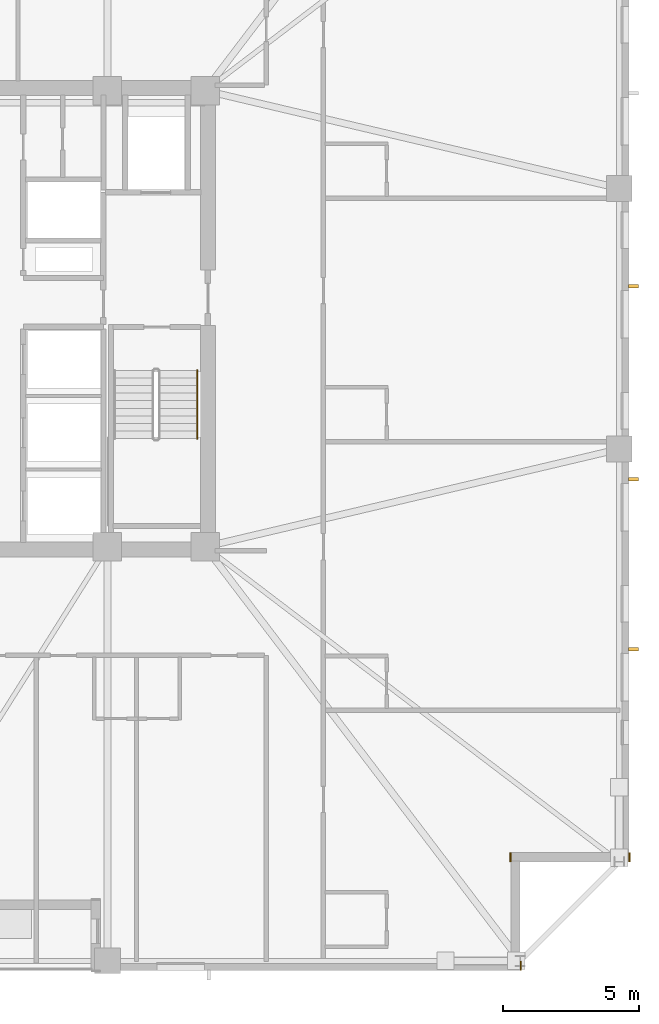
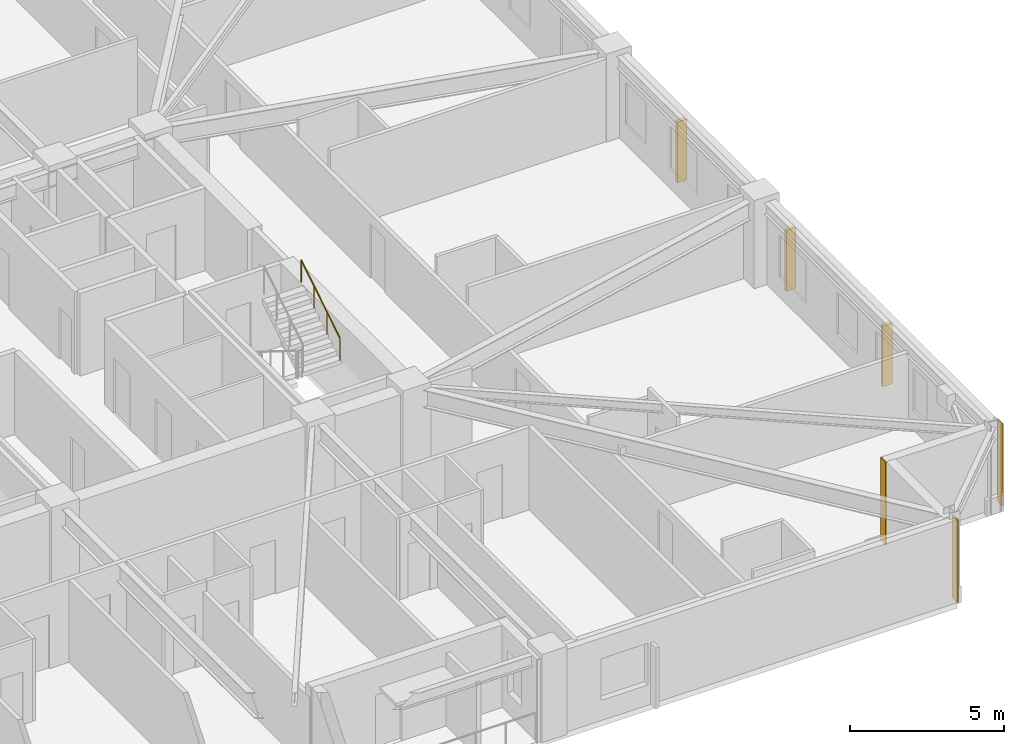
# One storey, part 9 of 11: 3 coverings, 3 shading devices, 1 railing.
"""IFC4 building model written with IfcOpenShell, lengths in metres."""

import ifcopenshell
import ifcopenshell.guid

model = None  # the IFC model being written
_history = None  # IfcOwnerHistory: only IFC2X3 demands one
_inside = {}  # id of a spatial element -> (the spatial element, [elements in it])
_under = {}  # id of a project, library or spatial element -> (it, [spatial elements below it])
_declared = {}  # id of a project -> (the project, [libraries it declares])
_typed = {}  # id of a type object -> (the type object, [elements of that type])
_made_of = {}  # id of a material, layer set ... -> (it, [elements and type objects made of it])


def new_model(schema):
    """Start an empty IFC model of exactly this schema.

    Asked for "IFC4X3", IfcOpenShell would pick the latest addendum, in which some entities
    have other attributes; the version numbers below select the first issue.
    IFC2X3 requires an IfcOwnerHistory on every rooted entity: one is made here for all.
    """
    global model, _history
    if schema == "IFC4X3":
        model = ifcopenshell.file(schema_version=(4, 3, 0, 0))
    else:
        model = ifcopenshell.file(schema=schema)
    _inside.clear()
    _under.clear()
    _declared.clear()
    _typed.clear()
    _made_of.clear()
    _history = None
    if model.schema == "IFC2X3":
        org = make("IfcOrganization", Name="unknown")
        user = make(
            "IfcPersonAndOrganization",
            ThePerson=make("IfcPerson", FamilyName="unknown"),
            TheOrganization=org,
        )
        app = make(
            "IfcApplication",
            ApplicationDeveloper=org,
            Version="unknown",
            ApplicationFullName="unknown",
            ApplicationIdentifier="unknown",
        )
        _history = make(
            "IfcOwnerHistory",
            OwningUser=user,
            OwningApplication=app,
            ChangeAction="ADDED",
            CreationDate=0,
        )
    return model


def make(cls, **values):
    """One entity of the class cls with the attributes given. An attribute that is None is left unset."""
    return model.create_entity(
        cls, **{name: value for name, value in values.items() if value is not None}
    )


def rooted(cls, **values):
    """An entity with a GlobalId (a new one), such as an element, a storey or a relation."""
    return make(cls, GlobalId=ifcopenshell.guid.new(), OwnerHistory=_history, **values)


def si_unit(unit_type, name, prefix=None):
    """IfcSIUnit, for example si_unit("LENGTHUNIT", "METRE", prefix="MILLI")."""
    return make("IfcSIUnit", UnitType=unit_type, Prefix=prefix, Name=name)


def assignment(units):
    """IfcUnitAssignment: the units of a project."""
    return None if units is None else make("IfcUnitAssignment", Units=units)


def point(xyz):
    """IfcCartesianPoint."""
    return None if xyz is None else make("IfcCartesianPoint", Coordinates=xyz)


def direction(xyz):
    """IfcDirection."""
    return None if xyz is None else make("IfcDirection", DirectionRatios=xyz)


def frame(location, z_axis=None, x_axis=None):
    """IfcAxis2Placement3D, a coordinate frame: its origin and axes. An axis left out is left unset."""
    return make(
        "IfcAxis2Placement3D",
        Location=point(location),
        Axis=direction(z_axis),
        RefDirection=direction(x_axis),
    )


def frame_2d(location, x_axis=None):
    """IfcAxis2Placement2D, a coordinate frame in the plane: its origin and x axis."""
    return make(
        "IfcAxis2Placement2D", Location=point(location), RefDirection=direction(x_axis)
    )


def origin():
    """The frame at (0, 0, 0) with its axes left unset."""
    return frame((0.0, 0.0, 0.0))


def origin_2d():
    """The frame at (0, 0) in the plane with its x axis left unset."""
    return frame_2d((0.0, 0.0))


def place(relative_to, where):
    """IfcLocalPlacement: puts the frame where relative to a parent placement (None: the world)."""
    return make(
        "IfcLocalPlacement", PlacementRelTo=relative_to, RelativePlacement=where
    )


def context(
    kind, dimensions, precision=None, world=None, true_north=None, identifier=None
):
    """IfcGeometricRepresentationContext, for example the 3D "Model" context."""
    return make(
        "IfcGeometricRepresentationContext",
        ContextIdentifier=identifier,
        ContextType=kind,
        CoordinateSpaceDimension=dimensions,
        Precision=precision,
        WorldCoordinateSystem=world,
        TrueNorth=true_north,
    )


def subcontext(parent, identifier, kind, view, scale=None):
    """IfcGeometricRepresentationSubContext, for example "Body" below "Model"."""
    return make(
        "IfcGeometricRepresentationSubContext",
        ContextIdentifier=identifier,
        ContextType=kind,
        ParentContext=parent,
        TargetScale=scale,
        TargetView=view,
    )


def project(units=None, contexts=None):
    """IfcProject with its units and contexts."""
    return rooted(
        "IfcProject",
        Name="project",
        RepresentationContexts=contexts,
        UnitsInContext=assignment(units),
    )


def spatial(cls, under=None, at=None, **own):
    """A site, building, storey or space (cls), placed at a placement, below another one or the project."""
    s = rooted(cls, ObjectPlacement=at, **own)
    if under is not None:
        _under.setdefault(under.id(), (under, []))[1].append(s)
    return s


def profile(cls, at=None, kind="AREA", **sizes):
    """A parametric profile (cls). Its sizes go by their IFC names, for example OverallWidth=200.0."""
    return make(cls, ProfileType=kind, Position=at, **sizes)


def rectangle(**sizes):
    """IfcRectangleProfileDef."""
    return profile("IfcRectangleProfileDef", **sizes)


def circle(**sizes):
    """IfcCircleProfileDef."""
    return profile("IfcCircleProfileDef", **sizes)


def extrude(swept, where, along, depth):
    """IfcExtrudedAreaSolid: the profile swept, set in the frame where, extruded along a direction by depth."""
    return make(
        "IfcExtrudedAreaSolid",
        SweptArea=swept,
        Position=where,
        ExtrudedDirection=direction(along),
        Depth=depth,
    )


def shape(context_of_items, identifier, shape_type, items):
    """IfcShapeRepresentation: the items that make up one representation, for example the "Body"."""
    return make(
        "IfcShapeRepresentation",
        ContextOfItems=context_of_items,
        RepresentationIdentifier=identifier,
        RepresentationType=shape_type,
        Items=items,
    )


def material(Name=None, Category=None):
    """IfcMaterial."""
    return make("IfcMaterial", Name=Name, Category=Category)


def layer(
    of_material, thickness, ventilated=None, Name=None, Category=None, Priority=None
):
    """IfcMaterialLayer: one layer of a wall or slab, of a material (None: an air gap)."""
    return make(
        "IfcMaterialLayer",
        Material=of_material,
        LayerThickness=thickness,
        IsVentilated=ventilated,
        Name=Name,
        Category=Category,
        Priority=Priority,
    )


def layer_set(layers, Name=None):
    """IfcMaterialLayerSet."""
    return make("IfcMaterialLayerSet", MaterialLayers=layers, LayerSetName=Name)


def made_of(thing, what):
    """Note that an element or type object is made of a material, layer set ...; save() writes the relation."""
    if what is not None:
        _made_of.setdefault(what.id(), (what, []))[1].append(thing)
    return thing


def type_object(cls, material=None, **own):
    """A type object (cls), such as IfcWallType, which elements share."""
    return made_of(rooted(cls, **own), material)


def element(
    cls,
    number,
    at=None,
    inside=None,
    cuts=None,
    type_object=None,
    material=None,
    context=None,
    identifier="Body",
    shape_type=None,
    held_by="IfcProductDefinitionShape",
    body=None,
    shapes=None,
    **own,
):
    """One element of the class cls, such as IfcWall. Its Tag is "e" and its number.

    at: its placement. inside: the storey or other place that contains it. cuts: it is an
    opening in that element (IfcRelVoidsElement). A single representation is given by context,
    identifier, shape_type and body (its items); several are given by shapes. held_by: the class
    of the entity that holds the representations. save() writes the other relations.
    """
    e = rooted(cls, Tag="e%d" % number, ObjectPlacement=at, **own)
    if body is not None:
        shapes = [shape(context, identifier, shape_type, body)]
    if shapes is not None:
        e.Representation = make(held_by, Representations=shapes)
    if inside is not None:
        _inside.setdefault(inside.id(), (inside, []))[1].append(e)
    if cuts is not None:
        rooted(
            "IfcRelVoidsElement", RelatingBuildingElement=cuts, RelatedOpeningElement=e
        )
    if type_object is not None:
        _typed.setdefault(type_object.id(), (type_object, []))[1].append(e)
    return made_of(e, material)


def aggregate(whole, parts):
    """IfcRelAggregates: a whole, such as a stair, and the parts it consists of."""
    return rooted("IfcRelAggregates", RelatingObject=whole, RelatedObjects=parts)


def save(model, path):
    """Write the relations noted so far, then the file.

    IfcRelAggregates (storeys below a building ...), IfcRelContainedInSpatialStructure (elements
    in a storey), IfcRelDefinesByType, IfcRelAssociatesMaterial and IfcRelDeclares: one each for
    every whole, place, type object, material and project.
    """
    for whole, parts in _under.values():
        aggregate(whole, parts)
    for where, things in _inside.values():
        rooted(
            "IfcRelContainedInSpatialStructure",
            RelatedElements=things,
            RelatingStructure=where,
        )
    for kind, things in _typed.values():
        rooted("IfcRelDefinesByType", RelatedObjects=things, RelatingType=kind)
    for what, things in _made_of.values():
        rooted("IfcRelAssociatesMaterial", RelatedObjects=things, RelatingMaterial=what)
    for by, libraries in _declared.values():
        rooted("IfcRelDeclares", RelatingContext=by, RelatedDefinitions=libraries)
    model.write(path)


model = new_model("IFC4")

# Units and contexts
model_context = context("Model", 3, precision=1e-05, world=origin(), true_north=direction((0.0, 1.0)))
body_context = subcontext(model_context, "Body", "Model", "MODEL_VIEW")
ifc_project = project(units=[si_unit("LENGTHUNIT", "METRE"), si_unit("AREAUNIT", "SQUARE_METRE"), si_unit("VOLUMEUNIT", "CUBIC_METRE"), si_unit("PLANEANGLEUNIT", "RADIAN"), si_unit("MASSUNIT", "GRAM", prefix="KILO")], contexts=[model_context])

# Site, building, storey
site_placement = place(None, origin())
site = spatial("IfcSite", under=ifc_project, at=site_placement, CompositionType="ELEMENT")
building_placement = place(site_placement, origin())
building = spatial("IfcBuilding", under=site, at=building_placement, Name="Cairnveth Concourse Tower", CompositionType="ELEMENT")
storey_placement = place(building_placement, frame((0.0, 0.0, 158.5)))
storey = spatial("IfcBuildingStorey", under=building, at=storey_placement, Name="L43", CompositionType="ELEMENT", Elevation=158.5)

# Coverings
ifc_material_1 = material(Name="Dressed Melbourne Bluestone Cladding", Category="masonry")
ifc_layer = layer(ifc_material_1, 0.050048828125)
ifc_layer_set = layer_set([ifc_layer], Name="Dressed Melbourne Bluestone Cladding")
covering_type = type_object("IfcCoveringType", Name="DRESSED BLUESTONE PLINTH CLADDING 50", PredefinedType="CLADDING", material=ifc_layer_set)
for number, where, z_axis, x_axis, name in (
    (1, (76.02001953125, 19.340087890625, 0.0), (0.0, 0.0, 1.0), (0.0, -1.0, 0.0), "Melbourne Bluestone Corner Quoin L43-637"),
    (2, (71.639892578125, 19.340087890625, 0.0), (0.0, 0.0, 1.0), (0.0, -1.0, 0.0), "Melbourne Bluestone Corner Quoin L43-638"),
    (3, (72.02001953125, 15.340087890625, 0.0), (0.0, 0.0, 1.0), (0.0, -1.0, 0.0), "Melbourne Bluestone Corner Quoin L43-639"),
):
    element("IfcCovering", number, at=place(storey_placement, frame(where, z_axis=z_axis, x_axis=x_axis)), inside=storey, type_object=covering_type, Name=name, PredefinedType="CLADDING", context=body_context, shape_type="SweptSolid", body=[
        extrude(rectangle(XDim=0.340087890625, YDim=0.050048828125, at=frame_2d((0.169921875, 0.0))), origin(), (0.0, 0.0, 1.0), 3.280029296875),
    ])

# Shading devices
ifc_material_2 = material(Name="Architectural Bronze Anodised Aluminium 6063-T6", Category="aluminium")
shading_device_type = type_object("IfcShadingDeviceType", Name="GOTHIC BRONZE VERTICAL LANCET FIN", PredefinedType="USERDEFINED", material=ifc_material_2)
for number, where, z_axis, x_axis, name in (
    (4, (76.175048828125, 40.194091796875, 0.030029296875), (0.0, 0.0, 1.0), (0.0, 1.0, 0.0), "Gothic Bronze Vertical Fin L43-9-5"),
    (5, (76.175048828125, 33.0869140625, 0.030029296875), (0.0, 0.0, 1.0), (0.0, 1.0, 0.0), "Gothic Bronze Vertical Fin L43-9-7"),
    (6, (76.175048828125, 26.829833984375, 0.030029296875), (0.0, 0.0, 1.0), (0.0, 1.0, 0.0), "Gothic Bronze Vertical Fin L43-9-9"),
):
    element("IfcShadingDevice", number, at=place(storey_placement, frame(where, z_axis=z_axis, x_axis=x_axis)), inside=storey, type_object=shading_device_type, Name=name, ObjectType="VERTICAL FIN", PredefinedType="USERDEFINED", context=body_context, shape_type="SweptSolid", body=[
        extrude(rectangle(XDim=0.1201171875, YDim=0.360107421875, at=origin_2d()), origin(), (0.0, 0.0, 1.0), 2.419921875),
    ])

# Railing
ifc_material_3 = material(Name="Steel Grade 350", Category="steel")
railing_type = type_object("IfcRailingType", Name="STAIR WALL HANDRAIL 900", PredefinedType="HANDRAIL", material=ifc_material_3)
railing_placement = place(storey_placement, frame((60.110107421875, 34.580078125, 1.925048828125)))
element("IfcRailing", 7, at=railing_placement, inside=storey, type_object=railing_type, Name="L43 ST-2 stair handrail 2", PredefinedType="HANDRAIL", context=body_context, shape_type="SweptSolid", body=[
    extrude(circle(Radius=0.02392578125, at=origin_2d()), frame((0.0, 0.0, 0.8759765625), z_axis=(0.0, 0.848007534815, 0.529984170421), x_axis=(-1.0, 0.0, 0.0)), (0.0, 0.0, 1.0), 2.9716796875),
    extrude(circle(Radius=0.02099609375, at=origin_2d()), origin(), (0.0, 0.0, 1.0), 0.851806640625),
    extrude(circle(Radius=0.02099609375, at=origin_2d()), frame((0.0, 0.840087890625, 0.52490234375)), (0.0, 0.0, 1.0), 0.851806640625),
    extrude(circle(Radius=0.02099609375, at=origin_2d()), frame((0.0, 1.679931640625, 1.050048828125)), (0.0, 0.0, 1.0), 0.851806640625),
    extrude(circle(Radius=0.02099609375, at=origin_2d()), frame((0.0, 2.52001953125, 1.574951171875)), (0.0, 0.0, 1.0), 0.851806640625),
])

save(model, "model.ifc")
